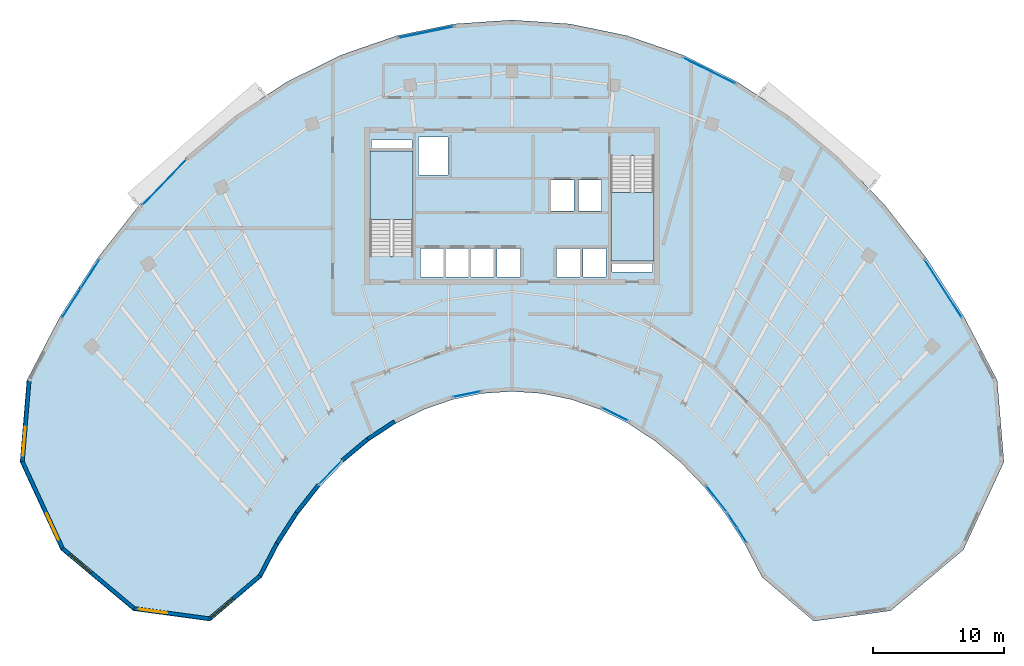
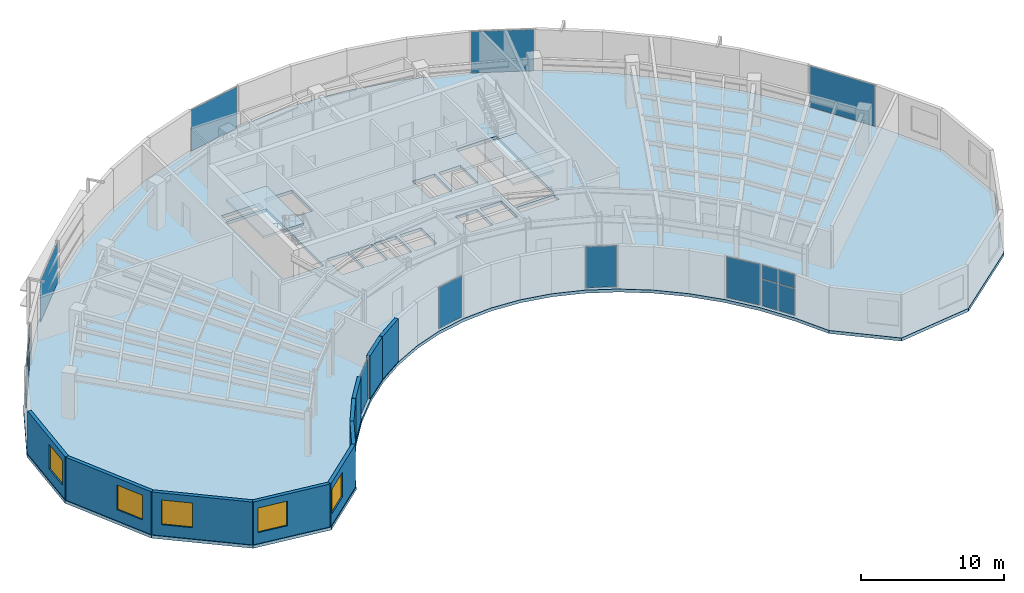
# One storey, part 7 of 13: 16 plates, 10 walls, 5 windows, 3 slabs, 5 openings, 12 elements without a shape of their own.
"""IFC4 building model written with IfcOpenShell, lengths in metres."""

from ifc_helpers import new_model, si_unit, direction, frame, frame_2d, origin, origin_2d, place, context, subcontext, project, spatial, polyline, rectangle, outline, extrude, source, transform, mapped, material, layer, layer_set, type_object, type_shapes, element, fill, aggregate, save


model = new_model("IFC4")

# Units and contexts
model_context = context("Model", 3, precision=1e-05, world=origin(), true_north=direction((0.0, 1.0)))
body_context = subcontext(model_context, "Body", "Model", "MODEL_VIEW")
ifc_project = project(units=[si_unit("LENGTHUNIT", "METRE"), si_unit("AREAUNIT", "SQUARE_METRE"), si_unit("VOLUMEUNIT", "CUBIC_METRE"), si_unit("PLANEANGLEUNIT", "RADIAN"), si_unit("MASSUNIT", "GRAM", prefix="KILO")], contexts=[model_context])

# Site, building, storey
site_placement = place(None, origin())
site = spatial("IfcSite", under=ifc_project, at=site_placement, CompositionType="ELEMENT")
building_placement = place(site_placement, origin())
building = spatial("IfcBuilding", under=site, at=building_placement, Name="Breltana Convention Tower", CompositionType="ELEMENT")
storey_placement = place(building_placement, frame((0.0, 0.0, 227.39990234375)))
storey = spatial("IfcBuildingStorey", under=building, at=storey_placement, Name="L55", CompositionType="ELEMENT", Elevation=227.39990234375)

# Stair, slab
ifc_material_1 = material(Name="Concrete C40/50", Category="concrete")
stair_type = type_object("IfcStairType", Name="ST-DOG-1560-R177", PredefinedType="HALF_TURN_STAIR", material=ifc_material_1)
stair_1_placement = place(storey_placement, origin())
stair_1 = element("IfcStair", 1, at=stair_1_placement, inside=storey, type_object=stair_type, Name="L55 Protected Core Exit Stair ST-1", PredefinedType="HALF_TURN_STAIR")
ifc_layer_1 = layer(ifc_material_1, 0.199951171875, Name="Concrete C40/50")
ifc_layer_set_1 = layer_set([ifc_layer_1], Name="Concrete C40/50")
slab_type_1 = type_object("IfcSlabType", Name="SL-STAIR-LANDING-200", PredefinedType="LANDING", material=ifc_layer_set_1)
slab_1_placement = place(storey_placement, frame((0.0, 0.0, 1.75)))
slab_1 = element("IfcSlab", 2, at=slab_1_placement, type_object=slab_type_1, Name="ST-1 landing 1", PredefinedType="LANDING", context=body_context, shape_type="SweptSolid", body=[
    extrude(outline(polyline([(40.469970703125, 65.159912109375), (40.469970703125, 70.39990234375), (37.199951171875, 70.39990234375), (37.199951171875, 65.159912109375), (40.469970703125, 65.159912109375)])), origin(), (0.0, 0.0, 1.0), 0.2001953125),
])
aggregate(stair_1, [slab_1])

stair_2_placement = place(storey_placement, origin())
stair_2 = element("IfcStair", 3, at=stair_2_placement, inside=storey, type_object=stair_type, Name="L55 Protected Core Exit Stair ST-2", PredefinedType="HALF_TURN_STAIR")
slab_2_placement = place(storey_placement, frame((0.0, 0.0, 1.75)))
slab_2 = element("IfcSlab", 4, at=slab_2_placement, type_object=slab_type_1, Name="ST-2 landing 1", PredefinedType="LANDING", context=body_context, shape_type="SweptSolid", body=[
    extrude(outline(polyline([(55.530029296875, 67.239990234375), (55.530029296875, 62.0), (58.800048828125, 62.0), (58.800048828125, 67.239990234375), (55.530029296875, 67.239990234375)])), origin(), (0.0, 0.0, 1.0), 0.2001953125),
])
aggregate(stair_2, [slab_2])

# Slab
ifc_layer_2 = layer(ifc_material_1, 0.260009765625, Name="Concrete C40/50")
ifc_layer_set_2 = layer_set([ifc_layer_2], Name="Concrete C40/50")
slab_type_2 = type_object("IfcSlabType", Name="SL-UPP-260", PredefinedType="FLOOR", material=ifc_layer_set_2)
slab_3_placement = place(storey_placement, frame((0.0, 0.0, -0.260009765625)))
element("IfcSlab", 5, at=slab_3_placement, inside=storey, type_object=slab_type_2, Name="L55 Suspended Structural Floor Slab", PredefinedType="FLOOR", context=body_context, shape_type="SweptSolid", body=[
    extrude(outline(polyline([(84.9326171875, 52.924560546875), (82.411376953125, 57.767333984375), (79.53759765625, 62.244140625), (76.34130859375, 66.308837890625), (72.8544921875, 69.919921875), (69.113525390625, 73.040283203125), (65.15625, 75.637939453125), (61.023193359375, 77.6865234375), (56.7568359375, 79.1650390625), (52.40087890625, 80.058349609375), (48.0, 80.35693359375), (43.59912109375, 80.058349609375), (39.2431640625, 79.1650390625), (34.976806640625, 77.6865234375), (30.84375, 75.637939453125), (26.886474609375, 73.040283203125), (23.1455078125, 69.919921875), (19.65869140625, 66.308837890625), (16.46240234375, 62.244140625), (13.588623046875, 57.767333984375), (11.0673828125, 52.924560546875), (10.548583984375, 46.716796875), (13.645263671875, 40.0185546875), (19.1748046875, 35.388427734375), (25.02490234375, 34.59521484375), (28.961181640625, 37.941650390625), (30.260986328125, 40.43798828125), (31.7421875, 42.745849609375), (33.39013671875, 44.84130859375), (35.1875, 46.70263671875), (37.115966796875, 48.311279296875), (39.156005859375, 49.650390625), (41.28662109375, 50.706298828125), (43.48583984375, 51.468505859375), (45.731201171875, 51.928955078125), (48.0, 52.0830078125), (50.268798828125, 51.928955078125), (52.51416015625, 51.468505859375), (54.71337890625, 50.706298828125), (56.843994140625, 49.650390625), (58.884033203125, 48.311279296875), (60.8125, 46.70263671875), (62.60986328125, 44.84130859375), (64.2578125, 42.745849609375), (65.739013671875, 40.43798828125), (67.038818359375, 37.941650390625), (70.97509765625, 34.59521484375), (76.8251953125, 35.388427734375), (82.354736328125, 40.0185546875), (85.451416015625, 46.716796875), (84.9326171875, 52.924560546875)]), holes=[polyline([(37.199951171875, 62.385009765625), (40.469970703125, 62.385009765625), (40.469970703125, 70.39990234375), (37.199951171875, 70.39990234375), (37.199951171875, 62.385009765625)]), polyline([(55.530029296875, 62.0), (58.800048828125, 62.0), (58.800048828125, 70.014892578125), (55.530029296875, 70.014892578125), (55.530029296875, 62.0)]), polyline([(41.0400390625, 60.800048828125), (42.800048828125, 60.800048828125), (42.800048828125, 62.97998046875), (41.0400390625, 62.97998046875), (41.0400390625, 60.800048828125)]), polyline([(42.93994140625, 60.800048828125), (44.699951171875, 60.800048828125), (44.699951171875, 62.97998046875), (42.93994140625, 62.97998046875), (42.93994140625, 60.800048828125)]), polyline([(44.8701171875, 60.800048828125), (46.6298828125, 60.800048828125), (46.6298828125, 62.97998046875), (44.8701171875, 62.97998046875), (44.8701171875, 60.800048828125)]), polyline([(46.8701171875, 60.800048828125), (48.6298828125, 60.800048828125), (48.6298828125, 62.97998046875), (46.8701171875, 62.97998046875), (46.8701171875, 60.800048828125)]), polyline([(51.39990234375, 60.800048828125), (53.159912109375, 60.800048828125), (53.159912109375, 62.97998046875), (51.39990234375, 62.97998046875), (51.39990234375, 60.800048828125)]), polyline([(53.39990234375, 60.800048828125), (55.159912109375, 60.800048828125), (55.159912109375, 62.97998046875), (53.39990234375, 62.97998046875), (53.39990234375, 60.800048828125)]), polyline([(50.969970703125, 65.800048828125), (52.72998046875, 65.800048828125), (52.72998046875, 68.179931640625), (50.969970703125, 68.179931640625), (50.969970703125, 65.800048828125)]), polyline([(53.070068359375, 65.800048828125), (54.830078125, 65.800048828125), (54.830078125, 68.179931640625), (53.070068359375, 68.179931640625), (53.070068359375, 65.800048828125)]), polyline([(40.8798828125, 68.550048828125), (43.1201171875, 68.550048828125), (43.1201171875, 71.449951171875), (40.8798828125, 71.449951171875), (40.8798828125, 68.550048828125)]), polyline([(37.300048828125, 70.60009765625), (40.3798828125, 70.60009765625), (40.3798828125, 71.219970703125), (37.300048828125, 71.219970703125), (37.300048828125, 70.60009765625)]), polyline([(55.6201171875, 61.179931640625), (58.699951171875, 61.179931640625), (58.699951171875, 61.800048828125), (55.6201171875, 61.800048828125), (55.6201171875, 61.179931640625)])]), origin(), (0.0, 0.0, 1.0), 0.260009765625),
])

# Curtain wall, plates
ifc_material_2 = material(Name="Aluminium Anodised Bronze Frame", Category="aluminium")
ifc_layer_3 = layer(ifc_material_2, 0.18994140625, Name="Aluminium Anodised Bronze Frame")
ifc_layer_set_3 = layer_set([ifc_layer_3], Name="Aluminium Anodised Bronze Frame")
curtain_wall_type_1 = type_object("IfcCurtainWallType", Name="CW-SYS-1", PredefinedType="NOTDEFINED", material=ifc_layer_set_3)
curtain_wall_1_placement = place(storey_placement, origin())
curtain_wall_1 = element("IfcCurtainWall", 6, at=curtain_wall_1_placement, inside=storey, type_object=curtain_wall_type_1, Name="L55 inner south-court glazing 1", PredefinedType="NOTDEFINED")
ifc_material_3 = material(Name="Glass Low-E Double Glazing", Category="glass")
ifc_layer_4 = layer(ifc_material_3, 0.028076171875, Name="Glass Low-E Double Glazing")
ifc_layer_set_4 = layer_set([ifc_layer_4], Name="Glass Low-E Double Glazing")
plate_type = type_object("IfcPlateType", Name="CWP-IGU-28", PredefinedType="CURTAIN_PANEL", material=ifc_layer_set_4)
shared_shape_1 = source(origin(), body_context, "Body", "SweptSolid", [
    extrude(rectangle(XDim=1.251220703125, YDim=0.028076171875, at=origin_2d()), origin(), (0.0, 0.0, 1.0), 2.25244140625),
])
plate_1_placement = place(storey_placement, frame((65.50927734375, 41.129150390625, 0.080078125), z_axis=(0.0, 0.0, 1.0), x_axis=(-0.540184263938, 0.841546766968, 0.0)))
plate_1 = element("IfcPlate", 7, at=plate_1_placement, type_object=plate_type, Name="CW-01 panel 1.1", PredefinedType="CURTAIN_PANEL", context=body_context, shape_type="MappedRepresentation", body=[
    mapped(shared_shape_1, transform((0.0, 0.0, 0.0), scale=1.0)),
])
plate_2_placement = place(storey_placement, frame((64.790283203125, 42.249267578125, 0.080078125), z_axis=(0.0, 0.0, 1.0), x_axis=(-0.540184263938, 0.841546766968, 0.0)))
plate_2 = element("IfcPlate", 8, at=plate_2_placement, type_object=plate_type, Name="CW-01 panel 2.1", PredefinedType="CURTAIN_PANEL", context=body_context, shape_type="MappedRepresentation", body=[
    mapped(shared_shape_1, transform((0.0, 0.0, 0.0), scale=1.0)),
])
shared_shape_2 = source(origin(), body_context, "Body", "SweptSolid", [
    extrude(rectangle(XDim=1.251220703125, YDim=0.028076171875, at=origin_2d()), origin(), (0.0, 0.0, 1.0), 1.157470703125),
])
plate_3_placement = place(storey_placement, frame((65.50927734375, 41.129150390625, 2.41259765625), z_axis=(0.0, 0.0, 1.0), x_axis=(-0.540184263938, 0.841546766968, 0.0)))
plate_3 = element("IfcPlate", 9, at=plate_3_placement, type_object=plate_type, Name="CW-01 panel 1.2", PredefinedType="CURTAIN_PANEL", context=body_context, shape_type="MappedRepresentation", body=[
    mapped(shared_shape_2, transform((0.0, 0.0, 0.0), scale=1.0)),
])
plate_4_placement = place(storey_placement, frame((64.790283203125, 42.249267578125, 2.41259765625), z_axis=(0.0, 0.0, 1.0), x_axis=(-0.540184263938, 0.841546766968, 0.0)))
plate_4 = element("IfcPlate", 10, at=plate_4_placement, type_object=plate_type, Name="CW-01 panel 2.2", PredefinedType="CURTAIN_PANEL", context=body_context, shape_type="MappedRepresentation", body=[
    mapped(shared_shape_2, transform((0.0, 0.0, 0.0), scale=1.0)),
])
aggregate(curtain_wall_1, [plate_1, plate_3, plate_2, plate_4])

# Curtain wall, plate
curtain_wall_2_placement = place(storey_placement, origin())
curtain_wall_2 = element("IfcCurtainWall", 11, at=curtain_wall_2_placement, inside=storey, type_object=curtain_wall_type_1, Name="L55 inner south-court glazing 2", PredefinedType="NOTDEFINED")
shared_shape_3 = source(origin(), body_context, "Body", "SweptSolid", [
    extrude(rectangle(XDim=2.505615234375, YDim=0.028076171875, at=origin_2d()), origin(), (0.0, 0.0, 1.0), 3.489990234375),
])
plate_5_placement = place(storey_placement, frame((63.5751953125, 43.90478515625, 0.080078125), z_axis=(0.0, 0.0, 1.0), x_axis=(-0.6181495353, 0.786060526937, 0.0)))
plate_5 = element("IfcPlate", 12, at=plate_5_placement, type_object=plate_type, Name="CW-01 panel 1.1", PredefinedType="CURTAIN_PANEL", context=body_context, shape_type="MappedRepresentation", body=[
    mapped(shared_shape_3, transform((0.0, 0.0, 0.0), scale=1.0)),
])
aggregate(curtain_wall_2, [plate_5])

curtain_wall_3_placement = place(storey_placement, origin())
curtain_wall_3 = element("IfcCurtainWall", 13, at=curtain_wall_3_placement, inside=storey, type_object=curtain_wall_type_1, Name="L55 inner south-court glazing 3", PredefinedType="NOTDEFINED")
shared_shape_4 = source(origin(), body_context, "Body", "SweptSolid", [
    extrude(rectangle(XDim=2.2177734375, YDim=0.028076171875, at=origin_2d()), origin(), (0.0, 0.0, 1.0), 3.489990234375),
])
plate_6_placement = place(storey_placement, frame((55.858642578125, 50.339599609375, 0.080078125), z_axis=(0.0, 0.0, 1.0), x_axis=(-0.89596107102, 0.444132591932, 0.0)))
plate_6 = element("IfcPlate", 14, at=plate_6_placement, type_object=plate_type, Name="CW-01 panel 1.1", PredefinedType="CURTAIN_PANEL", context=body_context, shape_type="MappedRepresentation", body=[
    mapped(shared_shape_4, transform((0.0, 0.0, 0.0), scale=1.0)),
])
aggregate(curtain_wall_3, [plate_6])

curtain_wall_4_placement = place(storey_placement, origin())
curtain_wall_4 = element("IfcCurtainWall", 15, at=curtain_wall_4_placement, inside=storey, type_object=curtain_wall_type_1, Name="L55 inner south-court glazing 4", PredefinedType="NOTDEFINED")
shared_shape_5 = source(origin(), body_context, "Body", "SweptSolid", [
    extrude(rectangle(XDim=2.13232421875, YDim=0.028076171875, at=origin_2d()), origin(), (0.0, 0.0, 1.0), 3.489990234375),
])
plate_7_placement = place(storey_placement, frame((44.572265625, 51.875, 0.080078125), z_axis=(0.0, 0.0, 1.0), x_axis=(-0.979621192803, -0.200853973352, 0.0)))
plate_7 = element("IfcPlate", 16, at=plate_7_placement, type_object=plate_type, Name="CW-01 panel 1.1", PredefinedType="CURTAIN_PANEL", context=body_context, shape_type="MappedRepresentation", body=[
    mapped(shared_shape_5, transform((0.0, 0.0, 0.0), scale=1.0)),
])
aggregate(curtain_wall_4, [plate_7])

curtain_wall_5_placement = place(storey_placement, origin())
curtain_wall_5 = element("IfcCurtainWall", 17, at=curtain_wall_5_placement, inside=storey, type_object=curtain_wall_type_1, Name="L55 inner south-court glazing 5", PredefinedType="NOTDEFINED")
shared_shape_6 = source(origin(), body_context, "Body", "SweptSolid", [
    extrude(rectangle(XDim=2.427490234375, YDim=0.028076171875, at=origin_2d()), origin(), (0.0, 0.0, 1.0), 3.489990234375),
])
plate_8_placement = place(storey_placement, frame((34.1591796875, 45.89697265625, 0.080078125), z_axis=(0.0, 0.0, 1.0), x_axis=(-0.694631756079, -0.719365500595, 0.0)))
plate_8 = element("IfcPlate", 18, at=plate_8_placement, type_object=plate_type, Name="CW-01 panel 1.1", PredefinedType="CURTAIN_PANEL", context=body_context, shape_type="MappedRepresentation", body=[
    mapped(shared_shape_6, transform((0.0, 0.0, 0.0), scale=1.0)),
])
aggregate(curtain_wall_5, [plate_8])

# Curtain wall, plates
ifc_layer_5 = layer(ifc_material_2, 0.219970703125, Name="Aluminium Anodised Bronze Frame")
ifc_layer_set_5 = layer_set([ifc_layer_5], Name="Aluminium Anodised Bronze Frame")
curtain_wall_type_2 = type_object("IfcCurtainWallType", Name="CW-SYS-4", PredefinedType="NOTDEFINED", material=ifc_layer_set_5)
curtain_wall_6_placement = place(storey_placement, origin())
curtain_wall_6 = element("IfcCurtainWall", 19, at=curtain_wall_6_placement, inside=storey, type_object=curtain_wall_type_2, Name="L55 outer double-skin inner glazing 1", PredefinedType="NOTDEFINED")
shared_shape_7 = source(origin(), body_context, "Body", "SweptSolid", [
    extrude(rectangle(XDim=2.531494140625, YDim=0.028076171875, at=origin_2d()), origin(), (0.0, 0.0, 1.0), 2.267578125),
])
plate_9_placement = place(storey_placement, frame((14.471435546875, 58.8095703125, 0.070068359375), z_axis=(0.0, 0.0, 1.0), x_axis=(0.540181791075, 0.84154835428, 0.0)))
plate_9 = element("IfcPlate", 20, at=plate_9_placement, type_object=plate_type, Name="CW-04 panel 1.1", PredefinedType="CURTAIN_PANEL", context=body_context, shape_type="MappedRepresentation", body=[
    mapped(shared_shape_7, transform((0.0, 0.0, 0.0), scale=1.0)),
])
plate_10_placement = place(storey_placement, frame((15.882080078125, 61.007080078125, 0.070068359375), z_axis=(0.0, 0.0, 1.0), x_axis=(0.540181791075, 0.84154835428, 0.0)))
plate_10 = element("IfcPlate", 21, at=plate_10_placement, type_object=plate_type, Name="CW-04 panel 2.1", PredefinedType="CURTAIN_PANEL", context=body_context, shape_type="MappedRepresentation", body=[
    mapped(shared_shape_7, transform((0.0, 0.0, 0.0), scale=1.0)),
])
shared_shape_8 = source(origin(), body_context, "Body", "SweptSolid", [
    extrude(rectangle(XDim=2.531494140625, YDim=0.028076171875, at=origin_2d()), origin(), (0.0, 0.0, 1.0), 1.172607421875),
])
plate_11_placement = place(storey_placement, frame((14.471435546875, 58.8095703125, 2.40771484375), z_axis=(0.0, 0.0, 1.0), x_axis=(0.540181791075, 0.84154835428, 0.0)))
plate_11 = element("IfcPlate", 22, at=plate_11_placement, type_object=plate_type, Name="CW-04 panel 1.2", PredefinedType="CURTAIN_PANEL", context=body_context, shape_type="MappedRepresentation", body=[
    mapped(shared_shape_8, transform((0.0, 0.0, 0.0), scale=1.0)),
])
plate_12_placement = place(storey_placement, frame((15.882080078125, 61.007080078125, 2.40771484375), z_axis=(0.0, 0.0, 1.0), x_axis=(0.540181791075, 0.84154835428, 0.0)))
plate_12 = element("IfcPlate", 23, at=plate_12_placement, type_object=plate_type, Name="CW-04 panel 2.2", PredefinedType="CURTAIN_PANEL", context=body_context, shape_type="MappedRepresentation", body=[
    mapped(shared_shape_8, transform((0.0, 0.0, 0.0), scale=1.0)),
])
aggregate(curtain_wall_6, [plate_9, plate_11, plate_10, plate_12])

# Curtain wall, plate
curtain_wall_7_placement = place(storey_placement, origin())
curtain_wall_7 = element("IfcCurtainWall", 24, at=curtain_wall_7_placement, inside=storey, type_object=curtain_wall_type_2, Name="L55 outer double-skin inner glazing 2", PredefinedType="NOTDEFINED")
shared_shape_9 = source(origin(), body_context, "Body", "SweptSolid", [
    extrude(rectangle(XDim=4.8408203125, YDim=0.028076171875, at=origin_2d()), origin(), (0.0, 0.0, 1.0), 3.510009765625),
])
plate_13_placement = place(storey_placement, frame((21.53125, 67.989013671875, 0.0703125), z_axis=(0.0, 0.0, 1.0), x_axis=(0.694599866751, 0.719396292115, 0.0)))
plate_13 = element("IfcPlate", 25, at=plate_13_placement, type_object=plate_type, Name="CW-04 panel 1.1", PredefinedType="CURTAIN_PANEL", context=body_context, shape_type="MappedRepresentation", body=[
    mapped(shared_shape_9, transform((0.0, 0.0, 0.0), scale=1.0)),
])
aggregate(curtain_wall_7, [plate_13])

curtain_wall_8_placement = place(storey_placement, origin())
curtain_wall_8 = element("IfcCurtainWall", 26, at=curtain_wall_8_placement, inside=storey, type_object=curtain_wall_type_2, Name="L55 outer double-skin inner glazing 3", PredefinedType="NOTDEFINED")
shared_shape_10 = source(origin(), body_context, "Body", "SweptSolid", [
    extrude(rectangle(XDim=4.262451171875, YDim=0.028076171875, at=origin_2d()), origin(), (0.0, 0.0, 1.0), 3.510009765625),
])
plate_14_placement = place(storey_placement, frame((41.45703125, 79.435302734375, 0.0703125), z_axis=(0.0, 0.0, 1.0), x_axis=(0.979615937236, 0.200879604523, 0.0)))
plate_14 = element("IfcPlate", 27, at=plate_14_placement, type_object=plate_type, Name="CW-04 panel 1.1", PredefinedType="CURTAIN_PANEL", context=body_context, shape_type="MappedRepresentation", body=[
    mapped(shared_shape_10, transform((0.0, 0.0, 0.0), scale=1.0)),
])
aggregate(curtain_wall_8, [plate_14])

curtain_wall_9_placement = place(storey_placement, origin())
curtain_wall_9 = element("IfcCurtainWall", 28, at=curtain_wall_9_placement, inside=storey, type_object=curtain_wall_type_2, Name="L55 outer double-skin inner glazing 4", PredefinedType="NOTDEFINED")
shared_shape_11 = source(origin(), body_context, "Body", "SweptSolid", [
    extrude(rectangle(XDim=4.430419921875, YDim=0.028076171875, at=origin_2d()), origin(), (0.0, 0.0, 1.0), 3.510009765625),
])
plate_15_placement = place(storey_placement, frame((63.010009765625, 76.5009765625, 0.0703125), z_axis=(0.0, 0.0, 1.0), x_axis=(0.895972827235, -0.444108875003, 0.0)))
plate_15 = element("IfcPlate", 29, at=plate_15_placement, type_object=plate_type, Name="CW-04 panel 1.1", PredefinedType="CURTAIN_PANEL", context=body_context, shape_type="MappedRepresentation", body=[
    mapped(shared_shape_11, transform((0.0, 0.0, 0.0), scale=1.0)),
])
aggregate(curtain_wall_9, [plate_15])

curtain_wall_10_placement = place(storey_placement, origin())
curtain_wall_10 = element("IfcCurtainWall", 30, at=curtain_wall_10_placement, inside=storey, type_object=curtain_wall_type_2, Name="L55 outer double-skin inner glazing 5", PredefinedType="NOTDEFINED")
shared_shape_12 = source(origin(), body_context, "Body", "SweptSolid", [
    extrude(rectangle(XDim=5.142822265625, YDim=0.028076171875, at=origin_2d()), origin(), (0.0, 0.0, 1.0), 3.510009765625),
])
plate_16_placement = place(storey_placement, frame((80.8232421875, 59.908203125, 0.0703125), z_axis=(0.0, 0.0, 1.0), x_axis=(0.540181791075, -0.84154835428, 0.0)))
plate_16 = element("IfcPlate", 31, at=plate_16_placement, type_object=plate_type, Name="CW-04 panel 1.1", PredefinedType="CURTAIN_PANEL", context=body_context, shape_type="MappedRepresentation", body=[
    mapped(shared_shape_12, transform((0.0, 0.0, 0.0), scale=1.0)),
])
aggregate(curtain_wall_10, [plate_16])

# Wall, opening, window
ifc_material_4 = material(Name="Limestone Buff Insulated Wall", Category="masonry")
ifc_layer_6 = layer(ifc_material_4, 0.280029296875, Name="Limestone Buff Insulated Wall")
ifc_layer_set_6 = layer_set([ifc_layer_6], Name="Limestone Buff Insulated Wall")
wall_type = type_object("IfcWallType", Name="WL-EXT-NOSE-280", PredefinedType="SOLIDWALL", material=ifc_layer_set_6)
shared_shape_13 = source(origin(), body_context, "Body", "SweptSolid", [
    extrude(rectangle(XDim=6.145751953125, YDim=0.280029296875, at=frame_2d((3.07275390625, 0.0))), origin(), (0.0, 0.0, 1.0), 3.650146484375),
])
wall_1_placement = place(storey_placement, frame((10.73193359375, 46.7490234375, 0.0), z_axis=(0.0, 0.0, 1.0), x_axis=(0.083301904456, 0.996524356307, 0.0)))
wall_1 = element("IfcWall", 32, at=wall_1_placement, inside=storey, type_object=wall_type, Name="L55 curved limestone nose wall W6", PredefinedType="SOLIDWALL", context=body_context, shape_type="MappedRepresentation", body=[
    mapped(shared_shape_13, transform((0.0, 0.0, 0.0), scale=1.0)),
])
opening_1_placement = place(wall_1_placement, frame((0.436279296875, 0.0, 0.949951171875)))
opening_1 = element("IfcOpeningElement", 33, at=opening_1_placement, cuts=wall_1, Name="Opening W-03", PredefinedType="OPENING", context=body_context, shape_type="SweptSolid", body=[
    extrude(rectangle(XDim=2.199951171875, YDim=2.10009765625, at=frame_2d((1.10009765625, 1.050048828125))), frame((0.0, 0.14990234375, 0.0), z_axis=(0.0, -1.0, 0.0), x_axis=(1.0, 0.0, 0.0)), (0.0, 0.0, 1.0), 0.300048828125),
])
ifc_material_5 = material(Name="Glass Low-E Insulated Window", Category="glass")
window_type = type_object("IfcWindowType", Name="WN-NOSE-2200X2100", PartitioningType="TRIPLE_PANEL_VERTICAL", PredefinedType="WINDOW", material=ifc_material_5)
shared_shape_14 = source(origin(), body_context, "Body", "SweptSolid", [
    extrude(rectangle(XDim=2.199951171875, YDim=2.10009765625, at=frame_2d((1.10009765625, 1.050048828125))), frame((0.0, 0.030029296875, 0.0), z_axis=(0.0, -1.0, 0.0), x_axis=(1.0, 0.0, 0.0)), (0.0, 0.0, 1.0), 0.06005859375),
])
type_shapes(window_type, [shared_shape_14])
window_1_placement = place(opening_1_placement, origin())
window_1 = element("IfcWindow", 34, at=window_1_placement, inside=storey, type_object=window_type, Name="L55 nose window W6", OverallHeight=2.10009765625, OverallWidth=2.199951171875, PartitioningType="TRIPLE_PANEL_VERTICAL", PredefinedType="WINDOW", context=body_context, shape_type="MappedRepresentation", body=[
    mapped(shared_shape_14, transform((0.0, 0.0, 0.0), scale=1.0)),
])
fill(opening_1, window_1)

shared_shape_15 = source(origin(), body_context, "Body", "SweptSolid", [
    extrude(rectangle(XDim=7.29150390625, YDim=0.280029296875, at=frame_2d((3.645751953125, 0.0))), origin(), (0.0, 0.0, 1.0), 3.650146484375),
])
wall_2_placement = place(storey_placement, frame((13.791748046875, 40.130615234375, 0.0), z_axis=(0.0, 0.0, 1.0), x_axis=(-0.419642001049, 0.907689699708, 0.0)))
wall_2 = element("IfcWall", 35, at=wall_2_placement, inside=storey, type_object=wall_type, Name="L55 curved limestone nose wall W5", PredefinedType="SOLIDWALL", context=body_context, shape_type="MappedRepresentation", body=[
    mapped(shared_shape_15, transform((0.0, 0.0, 0.0), scale=1.0)),
])
opening_2_placement = place(wall_2_placement, frame((0.722900390625, 0.0, 0.949951171875)))
opening_2 = element("IfcOpeningElement", 36, at=opening_2_placement, cuts=wall_2, Name="Opening W-03", PredefinedType="OPENING", context=body_context, shape_type="SweptSolid", body=[
    extrude(rectangle(XDim=2.199951171875, YDim=2.10009765625, at=frame_2d((1.10009765625, 1.050048828125))), frame((0.0, 0.14990234375, 0.0), z_axis=(0.0, -1.0, 0.0), x_axis=(1.0, 0.0, 0.0)), (0.0, 0.0, 1.0), 0.300048828125),
])
window_2_placement = place(opening_2_placement, origin())
window_2 = element("IfcWindow", 37, at=window_2_placement, inside=storey, type_object=window_type, Name="L55 nose window W5", OverallHeight=2.10009765625, OverallWidth=2.199951171875, PartitioningType="TRIPLE_PANEL_VERTICAL", PredefinedType="WINDOW", context=body_context, shape_type="MappedRepresentation", body=[
    mapped(shared_shape_14, transform((0.0, 0.0, 0.0), scale=1.0)),
])
fill(opening_2, window_2)

shared_shape_16 = source(origin(), body_context, "Body", "SweptSolid", [
    extrude(rectangle(XDim=7.11962890625, YDim=0.280029296875, at=frame_2d((3.559814453125, 0.0))), origin(), (0.0, 0.0, 1.0), 3.650146484375),
])
wall_3_placement = place(storey_placement, frame((19.25048828125, 35.559814453125, 0.0), z_axis=(0.0, 0.0, 1.0), x_axis=(-0.766709783564, 0.641993853387, 0.0)))
wall_3 = element("IfcWall", 38, at=wall_3_placement, inside=storey, type_object=wall_type, Name="L55 curved limestone nose wall W4", PredefinedType="SOLIDWALL", context=body_context, shape_type="MappedRepresentation", body=[
    mapped(shared_shape_16, transform((0.0, 0.0, 0.0), scale=1.0)),
])
opening_3_placement = place(wall_3_placement, frame((4.23974609375, 0.0, 0.949951171875)))
opening_3 = element("IfcOpeningElement", 39, at=opening_3_placement, cuts=wall_3, Name="Opening W-03", PredefinedType="OPENING", context=body_context, shape_type="SweptSolid", body=[
    extrude(rectangle(XDim=2.199951171875, YDim=2.10009765625, at=frame_2d((1.10009765625, 1.050048828125))), frame((0.0, 0.14990234375, 0.0), z_axis=(0.0, -1.0, 0.0), x_axis=(1.0, 0.0, 0.0)), (0.0, 0.0, 1.0), 0.300048828125),
])
window_3_placement = place(opening_3_placement, origin())
window_3 = element("IfcWindow", 40, at=window_3_placement, inside=storey, type_object=window_type, Name="L55 nose window W4", OverallHeight=2.10009765625, OverallWidth=2.199951171875, PartitioningType="TRIPLE_PANEL_VERTICAL", PredefinedType="WINDOW", context=body_context, shape_type="MappedRepresentation", body=[
    mapped(shared_shape_14, transform((0.0, 0.0, 0.0), scale=1.0)),
])
fill(opening_3, window_3)

shared_shape_17 = source(origin(), body_context, "Body", "SweptSolid", [
    extrude(rectangle(XDim=5.771240234375, YDim=0.280029296875, at=frame_2d((2.8857421875, 0.0))), origin(), (0.0, 0.0, 1.0), 3.650146484375),
])
wall_4_placement = place(storey_placement, frame((24.969482421875, 34.784423828125, 0.0), z_axis=(0.0, 0.0, 1.0), x_axis=(-0.990933615537, 0.134352408237, 0.0)))
wall_4 = element("IfcWall", 41, at=wall_4_placement, inside=storey, type_object=wall_type, Name="L55 curved limestone nose wall W3", PredefinedType="SOLIDWALL", context=body_context, shape_type="MappedRepresentation", body=[
    mapped(shared_shape_17, transform((0.0, 0.0, 0.0), scale=1.0)),
])
opening_4_placement = place(wall_4_placement, frame((3.228759765625, 0.0, 0.949951171875)))
opening_4 = element("IfcOpeningElement", 42, at=opening_4_placement, cuts=wall_4, Name="Opening W-03", PredefinedType="OPENING", context=body_context, shape_type="SweptSolid", body=[
    extrude(rectangle(XDim=2.199951171875, YDim=2.10009765625, at=frame_2d((1.10009765625, 1.050048828125))), frame((0.0, 0.14990234375, 0.0), z_axis=(0.0, -1.0, 0.0), x_axis=(1.0, 0.0, 0.0)), (0.0, 0.0, 1.0), 0.300048828125),
])
window_4_placement = place(opening_4_placement, origin())
window_4 = element("IfcWindow", 43, at=window_4_placement, inside=storey, type_object=window_type, Name="L55 nose window W3", OverallHeight=2.10009765625, OverallWidth=2.199951171875, PartitioningType="TRIPLE_PANEL_VERTICAL", PredefinedType="WINDOW", context=body_context, shape_type="MappedRepresentation", body=[
    mapped(shared_shape_14, transform((0.0, 0.0, 0.0), scale=1.0)),
])
fill(opening_4, window_4)

shared_shape_18 = source(origin(), body_context, "Body", "SweptSolid", [
    extrude(rectangle(XDim=5.051025390625, YDim=0.280029296875, at=frame_2d((2.525390625, 0.0))), origin(), (0.0, 0.0, 1.0), 3.650146484375),
])
wall_5_placement = place(storey_placement, frame((28.81787109375, 38.055908203125, 0.0), z_axis=(0.0, 0.0, 1.0), x_axis=(-0.761904731537, -0.647689107568, 0.0)))
wall_5 = element("IfcWall", 44, at=wall_5_placement, inside=storey, type_object=wall_type, Name="L55 curved limestone nose wall W2", PredefinedType="SOLIDWALL", context=body_context, shape_type="MappedRepresentation", body=[
    mapped(shared_shape_18, transform((0.0, 0.0, 0.0), scale=1.0)),
])
opening_5_placement = place(wall_5_placement, frame((2.688232421875, 0.0, 0.949951171875)))
opening_5 = element("IfcOpeningElement", 45, at=opening_5_placement, cuts=wall_5, Name="Opening W-03", PredefinedType="OPENING", context=body_context, shape_type="SweptSolid", body=[
    extrude(rectangle(XDim=2.199951171875, YDim=2.10009765625, at=frame_2d((1.10009765625, 1.050048828125))), frame((0.0, 0.14990234375, 0.0), z_axis=(0.0, -1.0, 0.0), x_axis=(1.0, 0.0, 0.0)), (0.0, 0.0, 1.0), 0.300048828125),
])
window_5_placement = place(opening_5_placement, origin())
window_5 = element("IfcWindow", 46, at=window_5_placement, inside=storey, type_object=window_type, Name="L55 nose window W2", OverallHeight=2.10009765625, OverallWidth=2.199951171875, PartitioningType="TRIPLE_PANEL_VERTICAL", PredefinedType="WINDOW", context=body_context, shape_type="MappedRepresentation", body=[
    mapped(shared_shape_14, transform((0.0, 0.0, 0.0), scale=1.0)),
])
fill(opening_5, window_5)

# Walls
shared_shape_19 = source(origin(), body_context, "Body", "SweptSolid", [
    extrude(rectangle(XDim=2.779296875, YDim=0.280029296875, at=frame_2d((1.3896484375, 0.0))), origin(), (0.0, 0.0, 1.0), 3.650146484375),
])
wall_6_placement = place(storey_placement, frame((30.101318359375, 40.521240234375, 0.0), z_axis=(0.0, 0.0, 1.0), x_axis=(-0.461770308601, -0.886999538948, 0.0)))
element("IfcWall", 47, at=wall_6_placement, inside=storey, type_object=wall_type, Name="L55 curved limestone nose wall W1", PredefinedType="SOLIDWALL", context=body_context, shape_type="MappedRepresentation", body=[
    mapped(shared_shape_19, transform((0.0, 0.0, 0.0), scale=1.0)),
])
shared_shape_20 = source(origin(), body_context, "Body", "SweptSolid", [
    extrude(rectangle(XDim=2.51123046875, YDim=0.280029296875, at=frame_2d((1.255615234375, 0.0))), origin(), (0.0, 0.0, 1.0), 3.650146484375),
])
wall_7_placement = place(storey_placement, frame((37.000732421875, 48.449462890625, 0.0), z_axis=(0.0, 0.0, 1.0), x_axis=(-0.767910416122, -0.640557251782, 0.0)))
element("IfcWall", 48, at=wall_7_placement, inside=storey, type_object=wall_type, Name="L55 curved limestone nose wall E17", PredefinedType="SOLIDWALL", context=body_context, shape_type="MappedRepresentation", body=[
    mapped(shared_shape_20, transform((0.0, 0.0, 0.0), scale=1.0)),
])
shared_shape_21 = source(origin(), body_context, "Body", "SweptSolid", [
    extrude(rectangle(XDim=2.440185546875, YDim=0.280029296875, at=frame_2d((1.22021484375, 0.0))), origin(), (0.0, 0.0, 1.0), 3.650146484375),
])
wall_8_placement = place(storey_placement, frame((39.05712890625, 49.80078125, 0.0), z_axis=(0.0, 0.0, 1.0), x_axis=(-0.83598480459, -0.548752591333, 0.0)))
element("IfcWall", 49, at=wall_8_placement, inside=storey, type_object=wall_type, Name="L55 curved limestone nose wall E16", PredefinedType="SOLIDWALL", context=body_context, shape_type="MappedRepresentation", body=[
    mapped(shared_shape_21, transform((0.0, 0.0, 0.0), scale=1.0)),
])
shared_shape_22 = source(origin(), body_context, "Body", "SweptSolid", [
    extrude(rectangle(XDim=2.66552734375, YDim=0.280029296875, at=frame_2d((1.332763671875, 0.0))), origin(), (0.0, 0.0, 1.0), 3.650146484375),
])
wall_9_placement = place(storey_placement, frame((33.24853515625, 44.952392578125, 0.0), z_axis=(0.0, 0.0, 1.0), x_axis=(-0.618161284122, -0.786051287648, 0.0)))
element("IfcWall", 50, at=wall_9_placement, inside=storey, type_object=wall_type, Name="L55 curved limestone nose wall E18", PredefinedType="SOLIDWALL", context=body_context, shape_type="MappedRepresentation", body=[
    mapped(shared_shape_22, transform((0.0, 0.0, 0.0), scale=1.0)),
])
shared_shape_23 = source(origin(), body_context, "Body", "SweptSolid", [
    extrude(rectangle(XDim=2.7421875, YDim=0.280029296875, at=frame_2d((1.37109375, 0.0))), origin(), (0.0, 0.0, 1.0), 3.650146484375),
])
wall_10_placement = place(storey_placement, frame((31.5908203125, 42.843017578125, 0.0), z_axis=(0.0, 0.0, 1.0), x_axis=(-0.540172468355, -0.841554338371, 0.0)))
element("IfcWall", 51, at=wall_10_placement, inside=storey, type_object=wall_type, Name="L55 curved limestone nose wall E19", PredefinedType="SOLIDWALL", context=body_context, shape_type="MappedRepresentation", body=[
    mapped(shared_shape_23, transform((0.0, 0.0, 0.0), scale=1.0)),
])

save(model, "model.ifc")
